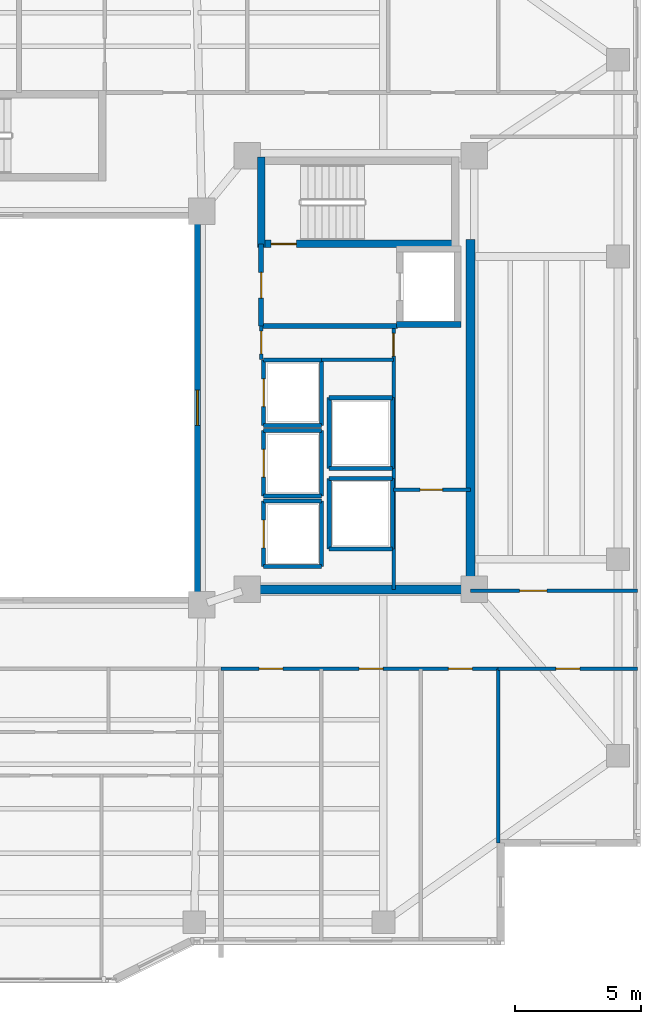
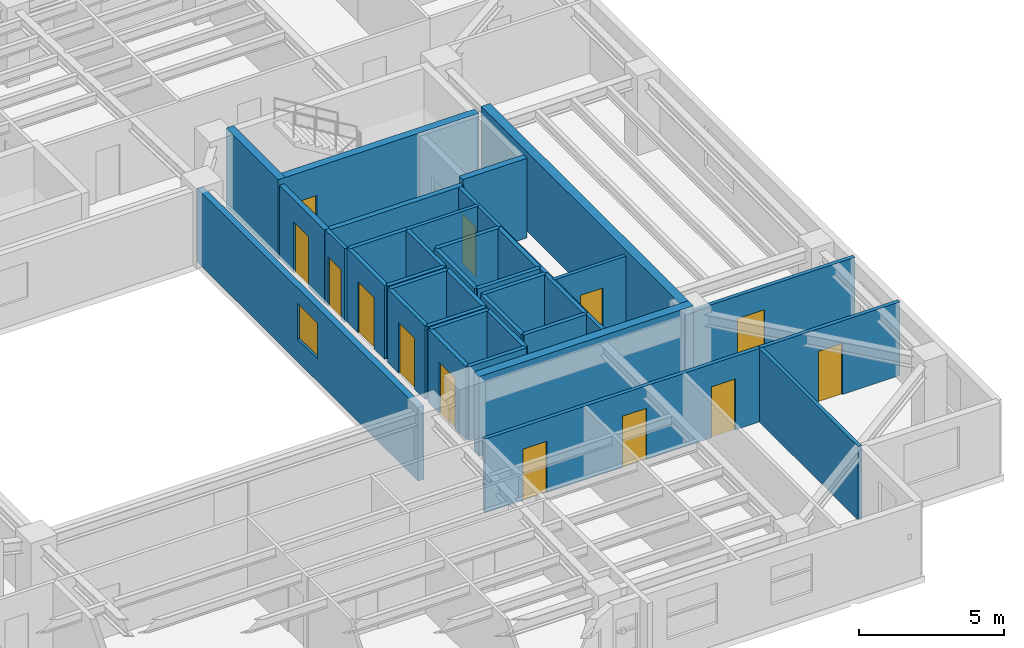
# One storey, part 8 of 15: 36 walls, 13 doors, 1 window, 14 openings.
"""IFC4 building model written with IfcOpenShell, lengths in metres."""

from ifc_helpers import new_model, si_unit, direction, frame, frame_2d, origin, place, context, subcontext, project, spatial, rectangle, extrude, material, layer, layer_set, type_object, element, fill, save


model = new_model("IFC4")

# Units and contexts
model_context = context("Model", 3, precision=1e-05, world=origin(), true_north=direction((0.0, 1.0)))
body_context = subcontext(model_context, "Body", "Model", "MODEL_VIEW")
ifc_project = project(units=[si_unit("LENGTHUNIT", "METRE"), si_unit("AREAUNIT", "SQUARE_METRE"), si_unit("VOLUMEUNIT", "CUBIC_METRE"), si_unit("PLANEANGLEUNIT", "RADIAN"), si_unit("MASSUNIT", "GRAM", prefix="KILO")], contexts=[model_context])

# Site, building, storey
site_placement = place(None, origin())
site = spatial("IfcSite", under=ifc_project, at=site_placement, CompositionType="ELEMENT")
building_placement = place(site_placement, origin())
building = spatial("IfcBuilding", under=site, at=building_placement, Name="Tarnavaz Court Tower", CompositionType="ELEMENT")
storey_placement = place(building_placement, frame((0.0, 0.0, 142.64990234375)))
storey = spatial("IfcBuildingStorey", under=building, at=storey_placement, Name="L38", CompositionType="ELEMENT", Elevation=142.64990234375)

# Wall
ifc_material_1 = material(Name="Concrete C50/60", Category="concrete")
ifc_layer_1 = layer(ifc_material_1, 0.25)
ifc_layer_set_1 = layer_set([ifc_layer_1], Name="Concrete C50/60")
wall_type_1 = type_object("IfcWallType", Name="WL-CORE-250-C50", PredefinedType="SHEAR", material=ifc_layer_set_1)
wall_1_placement = place(storey_placement, frame((15.52490234375, 3.300048828125, 0.0), z_axis=(0.0, 0.0, 1.0), x_axis=(1.0, 0.0, 0.0)))
element("IfcWall", 1, at=wall_1_placement, inside=storey, type_object=wall_type_1, Name="L38 Lift FL-E1 Shaft Wall 035", PredefinedType="SHEAR", context=body_context, shape_type="SweptSolid", body=[
    extrude(rectangle(XDim=2.550048828125, YDim=0.25, at=frame_2d((1.27490234375, 0.0))), origin(), (0.0, 0.0, 1.0), 3.35009765625),
])

# Wall, opening, door
ifc_layer_2 = layer(ifc_material_1, 0.300048828125)
ifc_layer_set_2 = layer_set([ifc_layer_2], Name="Concrete C50/60")
wall_type_2 = type_object("IfcWallType", Name="WL-CORE-300-C50", PredefinedType="SHEAR", material=ifc_layer_set_2)
wall_2_placement = place(storey_placement, frame((10.0, 6.5, 0.0), z_axis=(0.0, 0.0, 1.0), x_axis=(1.0, 0.0, 0.0)))
wall_2 = element("IfcWall", 2, at=wall_2_placement, inside=storey, type_object=wall_type_2, Name="L38 East Stair Core Wall 006", PredefinedType="SHEAR", context=body_context, shape_type="SweptSolid", body=[
    extrude(rectangle(XDim=8.0, YDim=0.300048828125, at=frame_2d((4.0, 0.0))), origin(), (0.0, 0.0, 1.0), 3.35009765625),
])
opening_1_placement = place(wall_2_placement, frame((0.550048828125, 0.0, 0.0)))
opening_1 = element("IfcOpeningElement", 3, at=opening_1_placement, cuts=wall_2, Name="Opening D01", PredefinedType="OPENING", context=body_context, shape_type="SweptSolid", body=[
    extrude(rectangle(XDim=1.0, YDim=2.14990234375, at=frame_2d((0.5, 1.074951171875))), frame((0.0, 0.159912109375, 0.0), z_axis=(0.0, -1.0, 0.0), x_axis=(1.0, 0.0, 0.0)), (0.0, 0.0, 1.0), 0.320068359375),
])
ifc_material_2 = material(Name="Fire-Rated Hardwood Timber Core", Category="wood")
door_type_1 = type_object("IfcDoorType", Name="DR-FD90-1000", OperationType="NOTDEFINED", PredefinedType="DOOR", material=ifc_material_2)
door_1_placement = place(opening_1_placement, origin())
door_1 = element("IfcDoor", 4, at=door_1_placement, inside=storey, type_object=door_type_1, Name="L38 Stair ST-E1 Exit Door", OperationType="SINGLE_SWING_RIGHT", OverallHeight=2.14990234375, OverallWidth=1.0, PredefinedType="DOOR", context=body_context, shape_type="SweptSolid", body=[
    extrude(rectangle(XDim=1.0, YDim=2.14990234375, at=frame_2d((0.5, 1.074951171875))), frame((0.0, 0.02490234375, 0.0), z_axis=(0.0, -1.0, 0.0), x_axis=(1.0, 0.0, 0.0)), (0.0, 0.0, 1.0), 0.050048828125),
])
fill(opening_1, door_1)

# Walls
wall_3_placement = place(storey_placement, frame((10.14990234375, 6.35009765625, 0.0), z_axis=(0.0, 0.0, 1.0), x_axis=(0.0, 1.0, 0.0)))
element("IfcWall", 5, at=wall_3_placement, inside=storey, type_object=wall_type_2, Name="L38 East Stair Core Wall 007", PredefinedType="SHEAR", context=body_context, shape_type="SweptSolid", body=[
    extrude(rectangle(XDim=3.58984375, YDim=0.300048828125, at=frame_2d((1.794921875, 0.0))), origin(), (0.0, 0.0, 1.0), 3.35009765625),
])
ifc_layer_3 = layer(ifc_material_1, 0.35009765625)
ifc_layer_set_3 = layer_set([ifc_layer_3], Name="Concrete C50/60")
wall_type_3 = type_object("IfcWallType", Name="WL-CORE-350-C50", PredefinedType="SHEAR", material=ifc_layer_set_3)
wall_4_placement = place(storey_placement, frame((18.449951171875, -7.375, 0.0), z_axis=(0.0, 0.0, 1.0), x_axis=(0.0, 1.0, 0.0)))
element("IfcWall", 6, at=wall_4_placement, inside=storey, type_object=wall_type_3, Name="L38 East Core Shear Wall 059", PredefinedType="SHEAR", context=body_context, shape_type="SweptSolid", body=[
    extrude(rectangle(XDim=14.050048828125, YDim=0.35009765625, at=frame_2d((7.02490234375, 0.0))), origin(), (0.0, 0.0, 1.0), 3.35009765625),
])
wall_5_placement = place(storey_placement, frame((10.074951171875, -7.199951171875, 0.0), z_axis=(0.0, 0.0, 1.0), x_axis=(1.0, 0.0, 0.0)))
element("IfcWall", 7, at=wall_5_placement, inside=storey, type_object=wall_type_3, Name="L38 East Core South Shear Wall 060", PredefinedType="SHEAR", context=body_context, shape_type="SweptSolid", body=[
    extrude(rectangle(XDim=8.550048828125, YDim=0.35009765625, at=frame_2d((4.27490234375, 0.0))), origin(), (0.0, 0.0, 1.0), 3.35009765625),
])

# Wall, openings, doors
ifc_material_3 = material(Name="Gypsum Fire-Board on Acoustic Metal Stud", Category="masonry")
ifc_layer_4 = layer(ifc_material_3, 0.14990234375)
ifc_layer_set_4 = layer_set([ifc_layer_4], Name="Gypsum Fire-Board on Acoustic Metal Stud")
wall_type_4 = type_object("IfcWallType", Name="WL-FIRE-150", PredefinedType="PARTITIONING", material=ifc_layer_set_4)
wall_6_placement = place(storey_placement, frame((8.550048828125, -10.35009765625, 0.0), z_axis=(0.0, 0.0, 1.0), x_axis=(1.0, 0.0, 0.0)))
wall_6 = element("IfcWall", 8, at=wall_6_placement, inside=storey, type_object=wall_type_4, Name="L38 SE Horseshoe Wall 074", PredefinedType="PARTITIONING", context=body_context, shape_type="SweptSolid", body=[
    extrude(rectangle(XDim=11.0, YDim=0.14990234375, at=frame_2d((5.5, 0.0))), origin(), (0.0, 0.0, 1.0), 3.10009765625),
])
opening_2_placement = place(wall_6_placement, frame((1.51611328125, 0.0, 0.0)))
opening_2 = element("IfcOpeningElement", 9, at=opening_2_placement, cuts=wall_6, Name="Opening D13", PredefinedType="OPENING", context=body_context, shape_type="SweptSolid", body=[
    extrude(rectangle(XDim=0.949951171875, YDim=2.14990234375, at=frame_2d((0.47509765625, 1.074951171875))), frame((0.0, 0.0849609375, 0.0), z_axis=(0.0, -1.0, 0.0), x_axis=(1.0, 0.0, 0.0)), (0.0, 0.0, 1.0), 0.169921875),
])
opening_3_placement = place(wall_6_placement, frame((5.488037109375, 0.0, 0.0)))
opening_3 = element("IfcOpeningElement", 10, at=opening_3_placement, cuts=wall_6, Name="Opening D13", PredefinedType="OPENING", context=body_context, shape_type="SweptSolid", body=[
    extrude(rectangle(XDim=0.949951171875, YDim=2.14990234375, at=frame_2d((0.47509765625, 1.074951171875))), frame((0.0, 0.0849609375, 0.0), z_axis=(0.0, -1.0, 0.0), x_axis=(1.0, 0.0, 0.0)), (0.0, 0.0, 1.0), 0.169921875),
])
opening_4_placement = place(wall_6_placement, frame((9.02197265625, 0.0, 0.0)))
opening_4 = element("IfcOpeningElement", 11, at=opening_4_placement, cuts=wall_6, Name="Opening D13", PredefinedType="OPENING", context=body_context, shape_type="SweptSolid", body=[
    extrude(rectangle(XDim=0.949951171875, YDim=2.14990234375, at=frame_2d((0.47509765625, 1.074951171875))), frame((0.0, 0.0849609375, 0.0), z_axis=(0.0, -1.0, 0.0), x_axis=(1.0, 0.0, 0.0)), (0.0, 0.0, 1.0), 0.169921875),
])
ifc_material_4 = material(Name="Engineered Oak Timber", Category="wood")
door_type_2 = type_object("IfcDoorType", Name="DR-INT-950", OperationType="NOTDEFINED", PredefinedType="DOOR", material=ifc_material_4)
door_2_placement = place(opening_2_placement, origin())
door_2 = element("IfcDoor", 12, at=door_2_placement, inside=storey, type_object=door_type_2, Name="L38 Resident Community Meeting Room Door", OperationType="SINGLE_SWING_RIGHT", OverallHeight=2.14990234375, OverallWidth=0.949951171875, PredefinedType="DOOR", context=body_context, shape_type="SweptSolid", body=[
    extrude(rectangle(XDim=0.949951171875, YDim=2.14990234375, at=frame_2d((0.47509765625, 1.074951171875))), frame((0.0, 0.02490234375, 0.0), z_axis=(0.0, -1.0, 0.0), x_axis=(1.0, 0.0, 0.0)), (0.0, 0.0, 1.0), 0.050048828125),
])
fill(opening_2, door_2)
door_3_placement = place(opening_3_placement, origin())
door_3 = element("IfcDoor", 13, at=door_3_placement, inside=storey, type_object=door_type_2, Name="L38 Craft and Maker Workshop Room Door", OperationType="SINGLE_SWING_LEFT", OverallHeight=2.14990234375, OverallWidth=0.949951171875, PredefinedType="DOOR", context=body_context, shape_type="SweptSolid", body=[
    extrude(rectangle(XDim=0.949951171875, YDim=2.14990234375, at=frame_2d((0.47509765625, 1.074951171875))), frame((0.0, 0.02490234375, 0.0), z_axis=(0.0, -1.0, 0.0), x_axis=(1.0, 0.0, 0.0)), (0.0, 0.0, 1.0), 0.050048828125),
])
fill(opening_3, door_3)
door_4_placement = place(opening_4_placement, origin())
door_4 = element("IfcDoor", 14, at=door_4_placement, inside=storey, type_object=door_type_2, Name="L38 Accessible Washroom WC Door", OperationType="SINGLE_SWING_RIGHT", OverallHeight=2.14990234375, OverallWidth=0.949951171875, PredefinedType="DOOR", context=body_context, shape_type="SweptSolid", body=[
    extrude(rectangle(XDim=0.949951171875, YDim=2.14990234375, at=frame_2d((0.47509765625, 1.074951171875))), frame((0.0, 0.02490234375, 0.0), z_axis=(0.0, -1.0, 0.0), x_axis=(1.0, 0.0, 0.0)), (0.0, 0.0, 1.0), 0.050048828125),
])
fill(opening_4, door_4)

# Wall, opening, door
wall_7_placement = place(storey_placement, frame((18.449951171875, -7.25, 0.0), z_axis=(0.0, 0.0, 1.0), x_axis=(1.0, 0.0, 0.0)))
wall_7 = element("IfcWall", 15, at=wall_7_placement, inside=storey, type_object=wall_type_4, Name="L38 Interior Partition 097", PredefinedType="PARTITIONING", context=body_context, shape_type="SweptSolid", body=[
    extrude(rectangle(XDim=6.630126953125, YDim=0.14990234375, at=frame_2d((3.31494140625, 0.0))), origin(), (0.0, 0.0, 1.0), 3.10009765625),
])
opening_5_placement = place(wall_7_placement, frame((1.949951171875, 0.0, 0.0)))
opening_5 = element("IfcOpeningElement", 16, at=opening_5_placement, cuts=wall_7, Name="Opening D12", PredefinedType="OPENING", context=body_context, shape_type="SweptSolid", body=[
    extrude(rectangle(XDim=1.080078125, YDim=2.14990234375, at=frame_2d((0.5400390625, 1.074951171875))), frame((0.0, 0.0849609375, 0.0), z_axis=(0.0, -1.0, 0.0), x_axis=(1.0, 0.0, 0.0)), (0.0, 0.0, 1.0), 0.169921875),
])
door_type_3 = type_object("IfcDoorType", Name="DR-INT-1100", OperationType="NOTDEFINED", PredefinedType="DOOR", material=ifc_material_4)
door_5_placement = place(opening_5_placement, origin())
door_5 = element("IfcDoor", 17, at=door_5_placement, inside=storey, type_object=door_type_3, Name="L38 East Fitness Lounge Door", OperationType="SINGLE_SWING_RIGHT", OverallHeight=2.14990234375, OverallWidth=1.080078125, PredefinedType="DOOR", context=body_context, shape_type="SweptSolid", body=[
    extrude(rectangle(XDim=1.080078125, YDim=2.14990234375, at=frame_2d((0.5400390625, 1.074951171875))), frame((0.0, 0.02490234375, 0.0), z_axis=(0.0, -1.0, 0.0), x_axis=(1.0, 0.0, 0.0)), (0.0, 0.0, 1.0), 0.050048828125),
])
fill(opening_5, door_5)

wall_8_placement = place(storey_placement, frame((19.550048828125, -10.35009765625, 0.0), z_axis=(0.0, 0.0, 1.0), x_axis=(1.0, 0.0, 0.0)))
wall_8 = element("IfcWall", 18, at=wall_8_placement, inside=storey, type_object=wall_type_4, Name="L38 Interior Partition 106", PredefinedType="PARTITIONING", context=body_context, shape_type="SweptSolid", body=[
    extrude(rectangle(XDim=5.530029296875, YDim=0.14990234375, at=frame_2d((2.76513671875, 0.0))), origin(), (0.0, 0.0, 1.0), 3.10009765625),
])
opening_6_placement = place(wall_8_placement, frame((2.2900390625, 0.0, 0.0)))
opening_6 = element("IfcOpeningElement", 19, at=opening_6_placement, cuts=wall_8, Name="Opening D13", PredefinedType="OPENING", context=body_context, shape_type="SweptSolid", body=[
    extrude(rectangle(XDim=0.949951171875, YDim=2.14990234375, at=frame_2d((0.47509765625, 1.074951171875))), frame((0.0, 0.0849609375, 0.0), z_axis=(0.0, -1.0, 0.0), x_axis=(1.0, 0.0, 0.0)), (0.0, 0.0, 1.0), 0.169921875),
])
door_6_placement = place(opening_6_placement, origin())
door_6 = element("IfcDoor", 20, at=door_6_placement, inside=storey, type_object=door_type_2, Name="L38 SE Reading Room Door", OperationType="SINGLE_SWING_RIGHT", OverallHeight=2.14990234375, OverallWidth=0.949951171875, PredefinedType="DOOR", context=body_context, shape_type="SweptSolid", body=[
    extrude(rectangle(XDim=0.949951171875, YDim=2.14990234375, at=frame_2d((0.47509765625, 1.074951171875))), frame((0.0, 0.02490234375, 0.0), z_axis=(0.0, -1.0, 0.0), x_axis=(1.0, 0.0, 0.0)), (0.0, 0.0, 1.0), 0.050048828125),
])
fill(opening_6, door_6)

# Wall
ifc_material_5 = material(Name="Autoclaved Aerated Concrete Blockwork", Category="masonry")
ifc_layer_5 = layer(ifc_material_5, 0.199951171875)
ifc_layer_set_5 = layer_set([ifc_layer_5], Name="Autoclaved Aerated Concrete Blockwork")
wall_type_5 = type_object("IfcWallType", Name="WL-FIRE-200", PredefinedType="SOLIDWALL", material=ifc_layer_set_5)
wall_9_placement = place(storey_placement, frame((10.14990234375, 3.25, 0.0), z_axis=(0.0, 0.0, 1.0), x_axis=(1.0, 0.0, 0.0)))
element("IfcWall", 21, at=wall_9_placement, inside=storey, type_object=wall_type_5, Name="L38 East Firefighting Lobby Wall 015", PredefinedType="SOLIDWALL", context=body_context, shape_type="SweptSolid", body=[
    extrude(rectangle(XDim=5.400146484375, YDim=0.199951171875, at=frame_2d((2.7001953125, 0.0))), origin(), (0.0, 0.0, 1.0), 3.10009765625),
])

# Wall, opening, door
wall_10_placement = place(storey_placement, frame((10.14990234375, 3.25, 0.0), z_axis=(0.0, 0.0, 1.0), x_axis=(0.0, 1.0, 0.0)))
wall_10 = element("IfcWall", 22, at=wall_10_placement, inside=storey, type_object=wall_type_5, Name="L38 East Firefighting Lobby Wall 016", PredefinedType="SOLIDWALL", context=body_context, shape_type="SweptSolid", body=[
    extrude(rectangle(XDim=3.25, YDim=0.199951171875, at=frame_2d((1.625, 0.0))), origin(), (0.0, 0.0, 1.0), 3.10009765625),
])
opening_7_placement = place(wall_10_placement, frame((1.10009765625, 0.0, 0.0)))
opening_7 = element("IfcOpeningElement", 23, at=opening_7_placement, cuts=wall_10, Name="Opening D05", PredefinedType="OPENING", context=body_context, shape_type="SweptSolid", body=[
    extrude(rectangle(XDim=1.02001953125, YDim=2.14990234375, at=frame_2d((0.510009765625, 1.074951171875))), frame((0.0, 0.10986328125, 0.0), z_axis=(0.0, -1.0, 0.0), x_axis=(1.0, 0.0, 0.0)), (0.0, 0.0, 1.0), 0.219970703125),
])
door_type_4 = type_object("IfcDoorType", Name="DR-FD60-1000", OperationType="NOTDEFINED", PredefinedType="DOOR", material=ifc_material_2)
door_7_placement = place(opening_7_placement, origin())
door_7 = element("IfcDoor", 24, at=door_7_placement, inside=storey, type_object=door_type_4, Name="L38 East Firefighting Lobby Door", OperationType="SINGLE_SWING_LEFT", OverallHeight=2.14990234375, OverallWidth=1.02001953125, PredefinedType="DOOR", context=body_context, shape_type="SweptSolid", body=[
    extrude(rectangle(XDim=1.02001953125, YDim=2.14990234375, at=frame_2d((0.510009765625, 1.074951171875))), frame((0.0, 0.02490234375, 0.0), z_axis=(0.0, -1.0, 0.0), x_axis=(1.0, 0.0, 0.0)), (0.0, 0.0, 1.0), 0.050048828125),
])
fill(opening_7, door_7)

# Wall
ifc_material_6 = material(Name="Gypsum Plasterboard Acoustic Partition", Category="masonry")
ifc_layer_6 = layer(ifc_material_6, 0.139892578125)
ifc_layer_set_6 = layer_set([ifc_layer_6], Name="Gypsum Plasterboard Acoustic Partition")
wall_type_6 = type_object("IfcWallType", Name="WL-PART-150", PredefinedType="PARTITIONING", material=ifc_layer_set_6)
wall_11_placement = place(storey_placement, frame((12.550048828125, 1.89990234375, 0.0), z_axis=(0.0, 0.0, 1.0), x_axis=(1.0, 0.0, 0.0)))
element("IfcWall", 25, at=wall_11_placement, inside=storey, type_object=wall_type_6, Name="L38 Interior Partition 067", PredefinedType="PARTITIONING", context=body_context, shape_type="SweptSolid", body=[
    extrude(rectangle(XDim=2.849853515625, YDim=0.139892578125, at=frame_2d((1.4248046875, 0.0))), origin(), (0.0, 0.0, 1.0), 3.10009765625),
])

# Wall, opening, door
wall_12_placement = place(storey_placement, frame((10.14990234375, 1.919921875, 0.0), z_axis=(0.0, 0.0, 1.0), x_axis=(0.0, 1.0, 0.0)))
wall_12 = element("IfcWall", 26, at=wall_12_placement, inside=storey, type_object=wall_type_6, Name="L38 Interior Partition 068", PredefinedType="PARTITIONING", context=body_context, shape_type="SweptSolid", body=[
    extrude(rectangle(XDim=1.330078125, YDim=0.139892578125, at=frame_2d((0.6650390625, 0.0))), origin(), (0.0, 0.0, 1.0), 3.10009765625),
])
opening_8_placement = place(wall_12_placement, frame((0.219970703125, 0.0, 0.0)))
opening_8 = element("IfcOpeningElement", 27, at=opening_8_placement, cuts=wall_12, Name="Opening D09", PredefinedType="OPENING", context=body_context, shape_type="SweptSolid", body=[
    extrude(rectangle(XDim=0.89990234375, YDim=2.080078125, at=frame_2d((0.449951171875, 1.0400390625))), frame((0.0, 0.079833984375, 0.0), z_axis=(0.0, -1.0, 0.0), x_axis=(1.0, 0.0, 0.0)), (0.0, 0.0, 1.0), 0.159912109375),
])
door_type_5 = type_object("IfcDoorType", Name="DR-FD30-900", OperationType="NOTDEFINED", PredefinedType="DOOR", material=ifc_material_2)
door_8_placement = place(opening_8_placement, origin())
door_8 = element("IfcDoor", 28, at=door_8_placement, inside=storey, type_object=door_type_5, Name="L38 East Core Service Lobby Door", OperationType="SINGLE_SWING_RIGHT", OverallHeight=2.080078125, OverallWidth=0.89990234375, PredefinedType="DOOR", context=body_context, shape_type="SweptSolid", body=[
    extrude(rectangle(XDim=0.89990234375, YDim=2.080078125, at=frame_2d((0.449951171875, 1.0400390625))), frame((0.0, 0.02490234375, 0.0), z_axis=(0.0, -1.0, 0.0), x_axis=(1.0, 0.0, 0.0)), (0.0, 0.0, 1.0), 0.050048828125),
])
fill(opening_8, door_8)

wall_13_placement = place(storey_placement, frame((15.39990234375, -7.199951171875, 0.0), z_axis=(0.0, 0.0, 1.0), x_axis=(0.0, 1.0, 0.0)))
wall_13 = element("IfcWall", 29, at=wall_13_placement, inside=storey, type_object=wall_type_6, Name="L38 Interior Partition 069", PredefinedType="PARTITIONING", context=body_context, shape_type="SweptSolid", body=[
    extrude(rectangle(XDim=10.449951171875, YDim=0.139892578125, at=frame_2d((5.22509765625, 0.0))), origin(), (0.0, 0.0, 1.0), 3.10009765625),
])
opening_9_placement = place(wall_13_placement, frame((9.25, 0.0, 0.0)))
opening_9 = element("IfcOpeningElement", 30, at=opening_9_placement, cuts=wall_13, Name="Opening D09", PredefinedType="OPENING", context=body_context, shape_type="SweptSolid", body=[
    extrude(rectangle(XDim=0.89990234375, YDim=2.080078125, at=frame_2d((0.449951171875, 1.0400390625))), frame((0.0, 0.079833984375, 0.0), z_axis=(0.0, -1.0, 0.0), x_axis=(1.0, 0.0, 0.0)), (0.0, 0.0, 1.0), 0.159912109375),
])
door_9_placement = place(opening_9_placement, origin())
door_9 = element("IfcDoor", 31, at=door_9_placement, inside=storey, type_object=door_type_5, Name="L38 East Wet Riser Door", OperationType="SINGLE_SWING_LEFT", OverallHeight=2.080078125, OverallWidth=0.89990234375, PredefinedType="DOOR", context=body_context, shape_type="SweptSolid", body=[
    extrude(rectangle(XDim=0.89990234375, YDim=2.080078125, at=frame_2d((0.449951171875, 1.0400390625))), frame((0.0, 0.02490234375, 0.0), z_axis=(0.0, -1.0, 0.0), x_axis=(1.0, 0.0, 0.0)), (0.0, 0.0, 1.0), 0.050048828125),
])
fill(opening_9, door_9)

wall_14_placement = place(storey_placement, frame((15.39990234375, -3.25, 0.0), z_axis=(0.0, 0.0, 1.0), x_axis=(1.0, 0.0, 0.0)))
wall_14 = element("IfcWall", 32, at=wall_14_placement, inside=storey, type_object=wall_type_6, Name="L38 Interior Partition 070", PredefinedType="PARTITIONING", context=body_context, shape_type="SweptSolid", body=[
    extrude(rectangle(XDim=3.050048828125, YDim=0.139892578125, at=frame_2d((1.52490234375, 0.0))), origin(), (0.0, 0.0, 1.0), 3.10009765625),
])
opening_10_placement = place(wall_14_placement, frame((1.050048828125, 0.0, 0.0)))
opening_10 = element("IfcOpeningElement", 33, at=opening_10_placement, cuts=wall_14, Name="Opening D09", PredefinedType="OPENING", context=body_context, shape_type="SweptSolid", body=[
    extrude(rectangle(XDim=0.89990234375, YDim=2.080078125, at=frame_2d((0.449951171875, 1.0400390625))), frame((0.0, 0.079833984375, 0.0), z_axis=(0.0, -1.0, 0.0), x_axis=(1.0, 0.0, 0.0)), (0.0, 0.0, 1.0), 0.159912109375),
])
door_10_placement = place(opening_10_placement, origin())
door_10 = element("IfcDoor", 34, at=door_10_placement, inside=storey, type_object=door_type_5, Name="L38 East Electrical Plant Door", OperationType="SINGLE_SWING_RIGHT", OverallHeight=2.080078125, OverallWidth=0.89990234375, PredefinedType="DOOR", context=body_context, shape_type="SweptSolid", body=[
    extrude(rectangle(XDim=0.89990234375, YDim=2.080078125, at=frame_2d((0.449951171875, 1.0400390625))), frame((0.0, 0.02490234375, 0.0), z_axis=(0.0, -1.0, 0.0), x_axis=(1.0, 0.0, 0.0)), (0.0, 0.0, 1.0), 0.050048828125),
])
fill(opening_10, door_10)

# Wall
wall_15_placement = place(storey_placement, frame((19.550048828125, -17.25, 0.0), z_axis=(0.0, 0.0, 1.0), x_axis=(0.0, 1.0, 0.0)))
element("IfcWall", 35, at=wall_15_placement, inside=storey, type_object=wall_type_6, Name="L38 Interior Partition 100", PredefinedType="PARTITIONING", context=body_context, shape_type="SweptSolid", body=[
    extrude(rectangle(XDim=6.89990234375, YDim=0.139892578125, at=frame_2d((3.449951171875, 0.0))), origin(), (0.0, 0.0, 1.0), 3.10009765625),
])

# Wall, opening, door
ifc_layer_7 = layer(ifc_material_5, 0.159912109375)
ifc_layer_set_7 = layer_set([ifc_layer_7], Name="Autoclaved Aerated Concrete Blockwork")
wall_type_7 = type_object("IfcWallType", Name="WL-SHAFT-150", PredefinedType="SOLIDWALL", material=ifc_layer_set_7)
wall_16_placement = place(storey_placement, frame((10.25, -6.300048828125, 0.0), z_axis=(0.0, 0.0, 1.0), x_axis=(0.0, 1.0, 0.0)))
wall_16 = element("IfcWall", 36, at=wall_16_placement, inside=storey, type_object=wall_type_7, Name="L38 Lift PL-M1 Shaft Wall 037", PredefinedType="SOLIDWALL", context=body_context, shape_type="SweptSolid", body=[
    extrude(rectangle(XDim=2.60009765625, YDim=0.159912109375, at=frame_2d((1.300048828125, 0.0))), origin(), (0.0, 0.0, 1.0), 3.10009765625),
])
opening_11_placement = place(wall_16_placement, frame((0.75, 0.0, 0.0)))
opening_11 = element("IfcOpeningElement", 37, at=opening_11_placement, cuts=wall_16, Name="Opening LD1", PredefinedType="OPENING", context=body_context, shape_type="SweptSolid", body=[
    extrude(rectangle(XDim=1.10009765625, YDim=2.14990234375, at=frame_2d((0.550048828125, 1.074951171875))), frame((0.0, 0.08984375, 0.0), z_axis=(0.0, -1.0, 0.0), x_axis=(1.0, 0.0, 0.0)), (0.0, 0.0, 1.0), 0.179931640625),
])
ifc_material_7 = material(Name="Stainless Steel", Category="steel")
door_type_6 = type_object("IfcDoorType", Name="DR-LD-1100", OperationType="NOTDEFINED", PredefinedType="DOOR", material=ifc_material_7)
door_11_placement = place(opening_11_placement, origin())
door_11 = element("IfcDoor", 38, at=door_11_placement, inside=storey, type_object=door_type_6, Name="L38 Lift Landing Door LD-PL-M1", OperationType="SLIDING_TO_LEFT", OverallHeight=2.14990234375, OverallWidth=1.10009765625, PredefinedType="DOOR", context=body_context, shape_type="SweptSolid", body=[
    extrude(rectangle(XDim=1.10009765625, YDim=2.14990234375, at=frame_2d((0.550048828125, 1.074951171875))), frame((0.0, 0.02490234375, 0.0), z_axis=(0.0, -1.0, 0.0), x_axis=(1.0, 0.0, 0.0)), (0.0, 0.0, 1.0), 0.050048828125),
])
fill(opening_11, door_11)

# Walls
wall_17_placement = place(storey_placement, frame((12.550048828125, -6.300048828125, 0.0), z_axis=(0.0, 0.0, 1.0), x_axis=(0.0, 1.0, 0.0)))
element("IfcWall", 39, at=wall_17_placement, inside=storey, type_object=wall_type_7, Name="L38 Lift PL-M1 Shaft Wall 038", PredefinedType="SOLIDWALL", context=body_context, shape_type="SweptSolid", body=[
    extrude(rectangle(XDim=2.60009765625, YDim=0.159912109375, at=frame_2d((1.300048828125, 0.0))), origin(), (0.0, 0.0, 1.0), 3.10009765625),
])
for number, where, z_axis, x_axis, name in (
    (40, (10.25, -6.300048828125, 0.0), (0.0, 0.0, 1.0), (1.0, 0.0, 0.0), "L38 Lift PL-M1 Shaft Wall 039"),
    (41, (10.25, -3.699951171875, 0.0), (0.0, 0.0, 1.0), (1.0, 0.0, 0.0), "L38 Lift PL-M1 Shaft Wall 040"),
):
    element("IfcWall", number, at=place(storey_placement, frame(where, z_axis=z_axis, x_axis=x_axis)), inside=storey, type_object=wall_type_7, Name=name, PredefinedType="SOLIDWALL", context=body_context, shape_type="SweptSolid", body=[
        extrude(rectangle(XDim=2.300048828125, YDim=0.159912109375, at=frame_2d((1.14990234375, 0.0))), origin(), (0.0, 0.0, 1.0), 3.10009765625),
    ])

# Wall, opening, door
wall_18_placement = place(storey_placement, frame((10.25, -3.5, 0.0), z_axis=(0.0, 0.0, 1.0), x_axis=(0.0, 1.0, 0.0)))
wall_18 = element("IfcWall", 42, at=wall_18_placement, inside=storey, type_object=wall_type_7, Name="L38 Lift PL-M2 Shaft Wall 041", PredefinedType="SOLIDWALL", context=body_context, shape_type="SweptSolid", body=[
    extrude(rectangle(XDim=2.60009765625, YDim=0.159912109375, at=frame_2d((1.300048828125, 0.0))), origin(), (0.0, 0.0, 1.0), 3.10009765625),
])
opening_12_placement = place(wall_18_placement, frame((0.75, 0.0, 0.0)))
opening_12 = element("IfcOpeningElement", 43, at=opening_12_placement, cuts=wall_18, Name="Opening LD1", PredefinedType="OPENING", context=body_context, shape_type="SweptSolid", body=[
    extrude(rectangle(XDim=1.10009765625, YDim=2.14990234375, at=frame_2d((0.550048828125, 1.074951171875))), frame((0.0, 0.08984375, 0.0), z_axis=(0.0, -1.0, 0.0), x_axis=(1.0, 0.0, 0.0)), (0.0, 0.0, 1.0), 0.179931640625),
])
door_12_placement = place(opening_12_placement, origin())
door_12 = element("IfcDoor", 44, at=door_12_placement, inside=storey, type_object=door_type_6, Name="L38 Lift Landing Door LD-PL-M2", OperationType="SLIDING_TO_LEFT", OverallHeight=2.14990234375, OverallWidth=1.10009765625, PredefinedType="DOOR", context=body_context, shape_type="SweptSolid", body=[
    extrude(rectangle(XDim=1.10009765625, YDim=2.14990234375, at=frame_2d((0.550048828125, 1.074951171875))), frame((0.0, 0.02490234375, 0.0), z_axis=(0.0, -1.0, 0.0), x_axis=(1.0, 0.0, 0.0)), (0.0, 0.0, 1.0), 0.050048828125),
])
fill(opening_12, door_12)

# Walls
wall_19_placement = place(storey_placement, frame((12.550048828125, -3.5, 0.0), z_axis=(0.0, 0.0, 1.0), x_axis=(0.0, 1.0, 0.0)))
element("IfcWall", 45, at=wall_19_placement, inside=storey, type_object=wall_type_7, Name="L38 Lift PL-M2 Shaft Wall 042", PredefinedType="SOLIDWALL", context=body_context, shape_type="SweptSolid", body=[
    extrude(rectangle(XDim=2.60009765625, YDim=0.159912109375, at=frame_2d((1.300048828125, 0.0))), origin(), (0.0, 0.0, 1.0), 3.10009765625),
])
for number, where, z_axis, x_axis, name in (
    (46, (10.25, -3.5, 0.0), (0.0, 0.0, 1.0), (1.0, 0.0, 0.0), "L38 Lift PL-M2 Shaft Wall 043"),
    (47, (10.25, -0.89990234375, 0.0), (0.0, 0.0, 1.0), (1.0, 0.0, 0.0), "L38 Lift PL-M2 Shaft Wall 044"),
):
    element("IfcWall", number, at=place(storey_placement, frame(where, z_axis=z_axis, x_axis=x_axis)), inside=storey, type_object=wall_type_7, Name=name, PredefinedType="SOLIDWALL", context=body_context, shape_type="SweptSolid", body=[
        extrude(rectangle(XDim=2.300048828125, YDim=0.159912109375, at=frame_2d((1.14990234375, 0.0))), origin(), (0.0, 0.0, 1.0), 3.10009765625),
    ])

# Wall, opening, door
wall_20_placement = place(storey_placement, frame((10.25, -0.699951171875, 0.0), z_axis=(0.0, 0.0, 1.0), x_axis=(0.0, 1.0, 0.0)))
wall_20 = element("IfcWall", 48, at=wall_20_placement, inside=storey, type_object=wall_type_7, Name="L38 Lift PL-M3 Shaft Wall 045", PredefinedType="SOLIDWALL", context=body_context, shape_type="SweptSolid", body=[
    extrude(rectangle(XDim=2.599853515625, YDim=0.159912109375, at=frame_2d((1.2998046875, 0.0))), origin(), (0.0, 0.0, 1.0), 3.10009765625),
])
opening_13_placement = place(wall_20_placement, frame((0.75, 0.0, 0.0)))
opening_13 = element("IfcOpeningElement", 49, at=opening_13_placement, cuts=wall_20, Name="Opening LD1", PredefinedType="OPENING", context=body_context, shape_type="SweptSolid", body=[
    extrude(rectangle(XDim=1.10009765625, YDim=2.14990234375, at=frame_2d((0.550048828125, 1.074951171875))), frame((0.0, 0.08984375, 0.0), z_axis=(0.0, -1.0, 0.0), x_axis=(1.0, 0.0, 0.0)), (0.0, 0.0, 1.0), 0.179931640625),
])
door_13_placement = place(opening_13_placement, origin())
door_13 = element("IfcDoor", 50, at=door_13_placement, inside=storey, type_object=door_type_6, Name="L38 Lift Landing Door LD-PL-M3", OperationType="SLIDING_TO_LEFT", OverallHeight=2.14990234375, OverallWidth=1.10009765625, PredefinedType="DOOR", context=body_context, shape_type="SweptSolid", body=[
    extrude(rectangle(XDim=1.10009765625, YDim=2.14990234375, at=frame_2d((0.550048828125, 1.074951171875))), frame((0.0, 0.02490234375, 0.0), z_axis=(0.0, -1.0, 0.0), x_axis=(1.0, 0.0, 0.0)), (0.0, 0.0, 1.0), 0.050048828125),
])
fill(opening_13, door_13)

# Walls
wall_21_placement = place(storey_placement, frame((12.550048828125, -0.699951171875, 0.0), z_axis=(0.0, 0.0, 1.0), x_axis=(0.0, 1.0, 0.0)))
element("IfcWall", 51, at=wall_21_placement, inside=storey, type_object=wall_type_7, Name="L38 Lift PL-M3 Shaft Wall 046", PredefinedType="SOLIDWALL", context=body_context, shape_type="SweptSolid", body=[
    extrude(rectangle(XDim=2.599853515625, YDim=0.159912109375, at=frame_2d((1.2998046875, 0.0))), origin(), (0.0, 0.0, 1.0), 3.10009765625),
])
for number, where, z_axis, x_axis, name in (
    (52, (10.25, -0.699951171875, 0.0), (0.0, 0.0, 1.0), (1.0, 0.0, 0.0), "L38 Lift PL-M3 Shaft Wall 047"),
    (53, (10.25, 1.89990234375, 0.0), (0.0, 0.0, 1.0), (1.0, 0.0, 0.0), "L38 Lift PL-M3 Shaft Wall 048"),
):
    element("IfcWall", number, at=place(storey_placement, frame(where, z_axis=z_axis, x_axis=x_axis)), inside=storey, type_object=wall_type_7, Name=name, PredefinedType="SOLIDWALL", context=body_context, shape_type="SweptSolid", body=[
        extrude(rectangle(XDim=2.300048828125, YDim=0.159912109375, at=frame_2d((1.14990234375, 0.0))), origin(), (0.0, 0.0, 1.0), 3.10009765625),
    ])
for number, where, z_axis, x_axis, name in (
    (54, (12.85009765625, -5.60009765625, 0.0), (0.0, 0.0, 1.0), (0.0, 1.0, 0.0), "L38 Lift PL-OB1 Shaft Wall 049"),
    (55, (15.35009765625, -5.60009765625, 0.0), (0.0, 0.0, 1.0), (0.0, 1.0, 0.0), "L38 Lift PL-OB1 Shaft Wall 050"),
):
    element("IfcWall", number, at=place(storey_placement, frame(where, z_axis=z_axis, x_axis=x_axis)), inside=storey, type_object=wall_type_7, Name=name, PredefinedType="SOLIDWALL", context=body_context, shape_type="SweptSolid", body=[
        extrude(rectangle(XDim=2.800048828125, YDim=0.159912109375, at=frame_2d((1.39990234375, 0.0))), origin(), (0.0, 0.0, 1.0), 3.10009765625),
    ])
for number, where, z_axis, x_axis, name in (
    (56, (12.85009765625, -5.60009765625, 0.0), (0.0, 0.0, 1.0), (1.0, 0.0, 0.0), "L38 Lift PL-OB1 Shaft Wall 051"),
    (57, (12.85009765625, -2.800048828125, 0.0), (0.0, 0.0, 1.0), (1.0, 0.0, 0.0), "L38 Lift PL-OB1 Shaft Wall 052"),
):
    element("IfcWall", number, at=place(storey_placement, frame(where, z_axis=z_axis, x_axis=x_axis)), inside=storey, type_object=wall_type_7, Name=name, PredefinedType="SOLIDWALL", context=body_context, shape_type="SweptSolid", body=[
        extrude(rectangle(XDim=2.5, YDim=0.159912109375, at=frame_2d((1.25, 0.0))), origin(), (0.0, 0.0, 1.0), 3.10009765625),
    ])
for number, where, z_axis, x_axis, name in (
    (58, (12.85009765625, -2.39990234375, 0.0), (0.0, 0.0, 1.0), (0.0, 1.0, 0.0), "L38 Lift PL-OB2 Shaft Wall 053"),
    (59, (15.35009765625, -2.39990234375, 0.0), (0.0, 0.0, 1.0), (0.0, 1.0, 0.0), "L38 Lift PL-OB2 Shaft Wall 054"),
):
    element("IfcWall", number, at=place(storey_placement, frame(where, z_axis=z_axis, x_axis=x_axis)), inside=storey, type_object=wall_type_7, Name=name, PredefinedType="SOLIDWALL", context=body_context, shape_type="SweptSolid", body=[
        extrude(rectangle(XDim=2.7998046875, YDim=0.159912109375, at=frame_2d((1.39990234375, 0.0))), origin(), (0.0, 0.0, 1.0), 3.10009765625),
    ])
for number, where, z_axis, x_axis, name in (
    (60, (12.85009765625, -2.39990234375, 0.0), (0.0, 0.0, 1.0), (1.0, 0.0, 0.0), "L38 Lift PL-OB2 Shaft Wall 055"),
    (61, (12.85009765625, 0.39990234375, 0.0), (0.0, 0.0, 1.0), (1.0, 0.0, 0.0), "L38 Lift PL-OB2 Shaft Wall 056"),
):
    element("IfcWall", number, at=place(storey_placement, frame(where, z_axis=z_axis, x_axis=x_axis)), inside=storey, type_object=wall_type_7, Name=name, PredefinedType="SOLIDWALL", context=body_context, shape_type="SweptSolid", body=[
        extrude(rectangle(XDim=2.5, YDim=0.159912109375, at=frame_2d((1.25, 0.0))), origin(), (0.0, 0.0, 1.0), 3.10009765625),
    ])

# Wall, opening, window
ifc_material_8 = material(Name="Precast Concrete C40/50", Category="concrete")
ifc_layer_8 = layer(ifc_material_8, 0.239990234375)
ifc_layer_set_8 = layer_set([ifc_layer_8], Name="Precast Concrete C40/50")
wall_type_8 = type_object("IfcWallType", Name="WL-WELL-240", PredefinedType="SOLIDWALL", material=ifc_layer_set_8)
wall_22_placement = place(storey_placement, frame((7.6201171875, -7.6201171875, 0.0), z_axis=(0.0, 0.0, 1.0), x_axis=(0.0, 1.0, 0.0)))
wall_22 = element("IfcWall", 62, at=wall_22_placement, inside=storey, type_object=wall_type_8, Name="L38 Badgir Light-Well Exterior Wall E", PredefinedType="SOLIDWALL", context=body_context, shape_type="SweptSolid", body=[
    extrude(rectangle(XDim=15.240234375, YDim=0.239990234375, at=frame_2d((7.6201171875, 0.0))), origin(), (0.0, 0.0, 1.0), 3.10009765625),
])
opening_14_placement = place(wall_22_placement, frame((6.919921875, 0.0, 0.949951171875)))
opening_14 = element("IfcOpeningElement", 63, at=opening_14_placement, cuts=wall_22, Name="Opening W13", PredefinedType="OPENING", context=body_context, shape_type="SweptSolid", body=[
    extrude(rectangle(XDim=1.39990234375, YDim=1.5, at=frame_2d((0.699951171875, 0.75))), frame((0.0, 0.1298828125, 0.0), z_axis=(0.0, -1.0, 0.0), x_axis=(1.0, 0.0, 0.0)), (0.0, 0.0, 1.0), 0.260009765625),
])
ifc_material_9 = material(Name="Double-Glazed Solar Low-E Glass", Category="glass")
window_type = type_object("IfcWindowType", Name="WN-WEL-1400", PartitioningType="SINGLE_PANEL", PredefinedType="WINDOW", material=ifc_material_9)
window_placement = place(opening_14_placement, origin())
window = element("IfcWindow", 64, at=window_placement, inside=storey, type_object=window_type, Name="L38 Courtyard Gallery Window E", OverallHeight=1.5, OverallWidth=1.39990234375, PartitioningType="SINGLE_PANEL", PredefinedType="WINDOW", context=body_context, shape_type="SweptSolid", body=[
    extrude(rectangle(XDim=1.39990234375, YDim=1.5, at=frame_2d((0.699951171875, 0.75))), frame((0.0, 0.030029296875, 0.0), z_axis=(0.0, -1.0, 0.0), x_axis=(1.0, 0.0, 0.0)), (0.0, 0.0, 1.0), 0.06005859375),
])
fill(opening_14, window)

save(model, "model.ifc")
